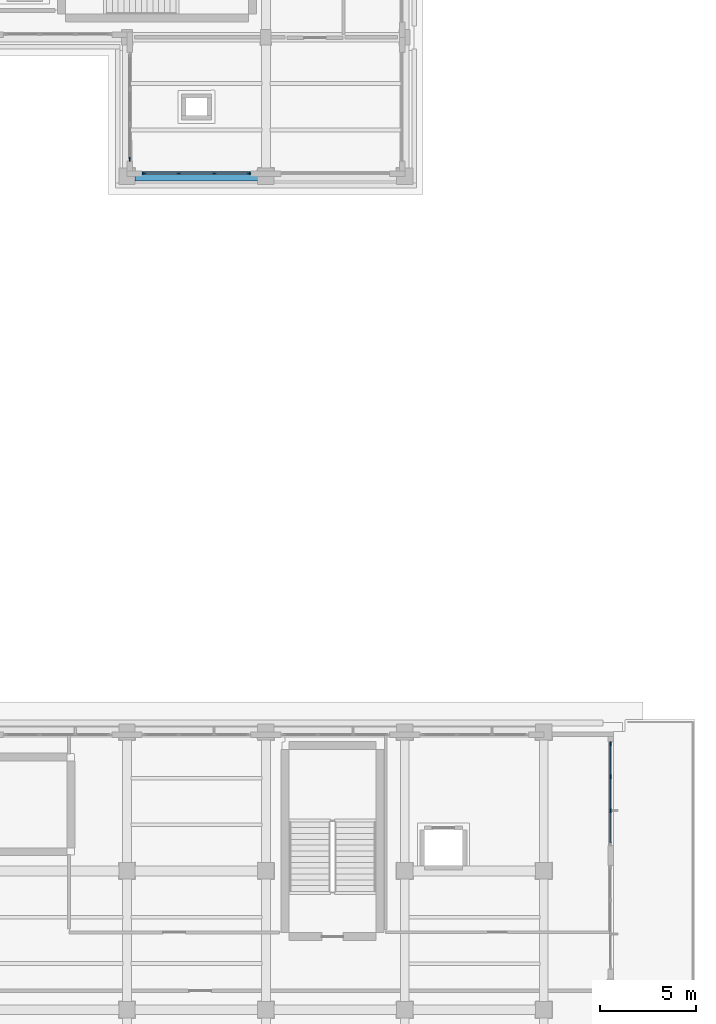
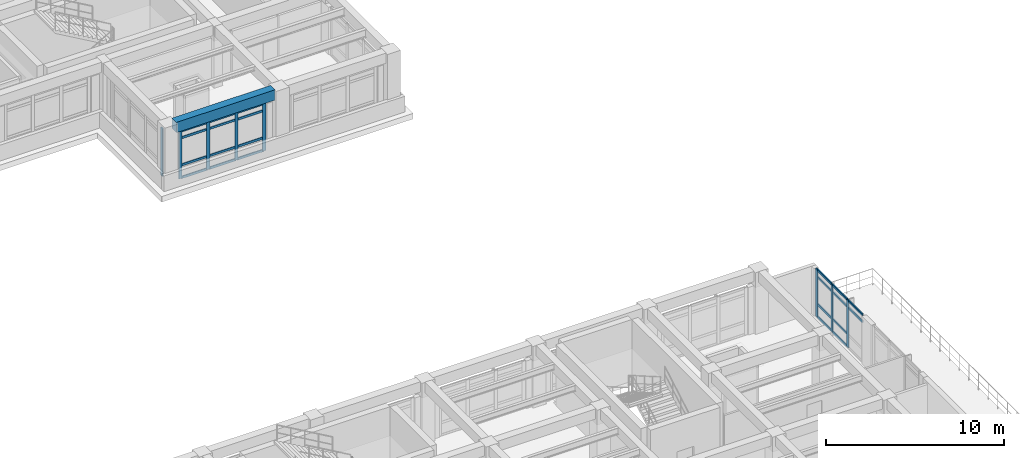
# One storey, part 59 of 98: 30 members, 1 beam, 3 elements without a shape of their own.
"""IFC4 building model written with IfcOpenShell, lengths in metres."""

import ifcopenshell
import ifcopenshell.guid

model = None  # the IFC model being written
_history = None  # IfcOwnerHistory: only IFC2X3 demands one
_inside = {}  # id of a spatial element -> (the spatial element, [elements in it])
_under = {}  # id of a project, library or spatial element -> (it, [spatial elements below it])
_declared = {}  # id of a project -> (the project, [libraries it declares])
_typed = {}  # id of a type object -> (the type object, [elements of that type])
_made_of = {}  # id of a material, layer set ... -> (it, [elements and type objects made of it])


def new_model(schema):
    """Start an empty IFC model of exactly this schema.

    Asked for "IFC4X3", IfcOpenShell would pick the latest addendum, in which some entities
    have other attributes; the version numbers below select the first issue.
    IFC2X3 requires an IfcOwnerHistory on every rooted entity: one is made here for all.
    """
    global model, _history
    if schema == "IFC4X3":
        model = ifcopenshell.file(schema_version=(4, 3, 0, 0))
    else:
        model = ifcopenshell.file(schema=schema)
    _inside.clear()
    _under.clear()
    _declared.clear()
    _typed.clear()
    _made_of.clear()
    _history = None
    if model.schema == "IFC2X3":
        org = make("IfcOrganization", Name="unknown")
        user = make(
            "IfcPersonAndOrganization",
            ThePerson=make("IfcPerson", FamilyName="unknown"),
            TheOrganization=org,
        )
        app = make(
            "IfcApplication",
            ApplicationDeveloper=org,
            Version="unknown",
            ApplicationFullName="unknown",
            ApplicationIdentifier="unknown",
        )
        _history = make(
            "IfcOwnerHistory",
            OwningUser=user,
            OwningApplication=app,
            ChangeAction="ADDED",
            CreationDate=0,
        )
    return model


def make(cls, **values):
    """One entity of the class cls with the attributes given. An attribute that is None is left unset."""
    return model.create_entity(
        cls, **{name: value for name, value in values.items() if value is not None}
    )


def rooted(cls, **values):
    """An entity with a GlobalId (a new one), such as an element, a storey or a relation."""
    return make(cls, GlobalId=ifcopenshell.guid.new(), OwnerHistory=_history, **values)


def si_unit(unit_type, name, prefix=None):
    """IfcSIUnit, for example si_unit("LENGTHUNIT", "METRE", prefix="MILLI")."""
    return make("IfcSIUnit", UnitType=unit_type, Prefix=prefix, Name=name)


def assignment(units):
    """IfcUnitAssignment: the units of a project."""
    return None if units is None else make("IfcUnitAssignment", Units=units)


def point(xyz):
    """IfcCartesianPoint."""
    return None if xyz is None else make("IfcCartesianPoint", Coordinates=xyz)


def direction(xyz):
    """IfcDirection."""
    return None if xyz is None else make("IfcDirection", DirectionRatios=xyz)


def frame(location, z_axis=None, x_axis=None):
    """IfcAxis2Placement3D, a coordinate frame: its origin and axes. An axis left out is left unset."""
    return make(
        "IfcAxis2Placement3D",
        Location=point(location),
        Axis=direction(z_axis),
        RefDirection=direction(x_axis),
    )


def frame_2d(location, x_axis=None):
    """IfcAxis2Placement2D, a coordinate frame in the plane: its origin and x axis."""
    return make(
        "IfcAxis2Placement2D", Location=point(location), RefDirection=direction(x_axis)
    )


def origin():
    """The frame at (0, 0, 0) with its axes left unset."""
    return frame((0.0, 0.0, 0.0))


def origin_2d():
    """The frame at (0, 0) in the plane with its x axis left unset."""
    return frame_2d((0.0, 0.0))


def place(relative_to, where):
    """IfcLocalPlacement: puts the frame where relative to a parent placement (None: the world)."""
    return make(
        "IfcLocalPlacement", PlacementRelTo=relative_to, RelativePlacement=where
    )


def context(
    kind, dimensions, precision=None, world=None, true_north=None, identifier=None
):
    """IfcGeometricRepresentationContext, for example the 3D "Model" context."""
    return make(
        "IfcGeometricRepresentationContext",
        ContextIdentifier=identifier,
        ContextType=kind,
        CoordinateSpaceDimension=dimensions,
        Precision=precision,
        WorldCoordinateSystem=world,
        TrueNorth=true_north,
    )


def subcontext(parent, identifier, kind, view, scale=None):
    """IfcGeometricRepresentationSubContext, for example "Body" below "Model"."""
    return make(
        "IfcGeometricRepresentationSubContext",
        ContextIdentifier=identifier,
        ContextType=kind,
        ParentContext=parent,
        TargetScale=scale,
        TargetView=view,
    )


def project(units=None, contexts=None):
    """IfcProject with its units and contexts."""
    return rooted(
        "IfcProject",
        Name="project",
        RepresentationContexts=contexts,
        UnitsInContext=assignment(units),
    )


def spatial(cls, under=None, at=None, **own):
    """A site, building, storey or space (cls), placed at a placement, below another one or the project."""
    s = rooted(cls, ObjectPlacement=at, **own)
    if under is not None:
        _under.setdefault(under.id(), (under, []))[1].append(s)
    return s


def profile(cls, at=None, kind="AREA", **sizes):
    """A parametric profile (cls). Its sizes go by their IFC names, for example OverallWidth=200.0."""
    return make(cls, ProfileType=kind, Position=at, **sizes)


def rectangle(**sizes):
    """IfcRectangleProfileDef."""
    return profile("IfcRectangleProfileDef", **sizes)


def extrude(swept, where, along, depth):
    """IfcExtrudedAreaSolid: the profile swept, set in the frame where, extruded along a direction by depth."""
    return make(
        "IfcExtrudedAreaSolid",
        SweptArea=swept,
        Position=where,
        ExtrudedDirection=direction(along),
        Depth=depth,
    )


def shape(context_of_items, identifier, shape_type, items):
    """IfcShapeRepresentation: the items that make up one representation, for example the "Body"."""
    return make(
        "IfcShapeRepresentation",
        ContextOfItems=context_of_items,
        RepresentationIdentifier=identifier,
        RepresentationType=shape_type,
        Items=items,
    )


def material(Name=None, Category=None):
    """IfcMaterial."""
    return make("IfcMaterial", Name=Name, Category=Category)


def layer(
    of_material, thickness, ventilated=None, Name=None, Category=None, Priority=None
):
    """IfcMaterialLayer: one layer of a wall or slab, of a material (None: an air gap)."""
    return make(
        "IfcMaterialLayer",
        Material=of_material,
        LayerThickness=thickness,
        IsVentilated=ventilated,
        Name=Name,
        Category=Category,
        Priority=Priority,
    )


def layer_set(layers, Name=None):
    """IfcMaterialLayerSet."""
    return make("IfcMaterialLayerSet", MaterialLayers=layers, LayerSetName=Name)


def material_profile(
    of_material, cross_section, Name=None, Category=None, Priority=None
):
    """IfcMaterialProfile: a cross section and its material."""
    return make(
        "IfcMaterialProfile",
        Name=Name,
        Material=of_material,
        Profile=cross_section,
        Priority=Priority,
        Category=Category,
    )


def profile_set(profiles, Name=None, composite=None):
    """IfcMaterialProfileSet."""
    return make(
        "IfcMaterialProfileSet",
        Name=Name,
        MaterialProfiles=profiles,
        CompositeProfile=composite,
    )


def made_of(thing, what):
    """Note that an element or type object is made of a material, layer set ...; save() writes the relation."""
    if what is not None:
        _made_of.setdefault(what.id(), (what, []))[1].append(thing)
    return thing


def type_object(cls, material=None, **own):
    """A type object (cls), such as IfcWallType, which elements share."""
    return made_of(rooted(cls, **own), material)


def element(
    cls,
    number,
    at=None,
    inside=None,
    cuts=None,
    type_object=None,
    material=None,
    context=None,
    identifier="Body",
    shape_type=None,
    held_by="IfcProductDefinitionShape",
    body=None,
    shapes=None,
    **own,
):
    """One element of the class cls, such as IfcWall. Its Tag is "e" and its number.

    at: its placement. inside: the storey or other place that contains it. cuts: it is an
    opening in that element (IfcRelVoidsElement). A single representation is given by context,
    identifier, shape_type and body (its items); several are given by shapes. held_by: the class
    of the entity that holds the representations. save() writes the other relations.
    """
    e = rooted(cls, Tag="e%d" % number, ObjectPlacement=at, **own)
    if body is not None:
        shapes = [shape(context, identifier, shape_type, body)]
    if shapes is not None:
        e.Representation = make(held_by, Representations=shapes)
    if inside is not None:
        _inside.setdefault(inside.id(), (inside, []))[1].append(e)
    if cuts is not None:
        rooted(
            "IfcRelVoidsElement", RelatingBuildingElement=cuts, RelatedOpeningElement=e
        )
    if type_object is not None:
        _typed.setdefault(type_object.id(), (type_object, []))[1].append(e)
    return made_of(e, material)


def aggregate(whole, parts):
    """IfcRelAggregates: a whole, such as a stair, and the parts it consists of."""
    return rooted("IfcRelAggregates", RelatingObject=whole, RelatedObjects=parts)


def save(model, path):
    """Write the relations noted so far, then the file.

    IfcRelAggregates (storeys below a building ...), IfcRelContainedInSpatialStructure (elements
    in a storey), IfcRelDefinesByType, IfcRelAssociatesMaterial and IfcRelDeclares: one each for
    every whole, place, type object, material and project.
    """
    for whole, parts in _under.values():
        aggregate(whole, parts)
    for where, things in _inside.values():
        rooted(
            "IfcRelContainedInSpatialStructure",
            RelatedElements=things,
            RelatingStructure=where,
        )
    for kind, things in _typed.values():
        rooted("IfcRelDefinesByType", RelatedObjects=things, RelatingType=kind)
    for what, things in _made_of.values():
        rooted("IfcRelAssociatesMaterial", RelatedObjects=things, RelatingMaterial=what)
    for by, libraries in _declared.values():
        rooted("IfcRelDeclares", RelatingContext=by, RelatedDefinitions=libraries)
    model.write(path)


model = new_model("IFC4")

# Units and contexts
model_context = context("Model", 3, precision=1e-05, world=origin(), true_north=direction((0.0, 1.0)))
body_context = subcontext(model_context, "Body", "Model", "MODEL_VIEW")
ifc_project = project(units=[si_unit("LENGTHUNIT", "METRE"), si_unit("AREAUNIT", "SQUARE_METRE"), si_unit("VOLUMEUNIT", "CUBIC_METRE"), si_unit("PLANEANGLEUNIT", "RADIAN"), si_unit("MASSUNIT", "GRAM", prefix="KILO")], contexts=[model_context])

# Site, building, storey
site_placement = place(None, origin())
site = spatial("IfcSite", under=ifc_project, at=site_placement, CompositionType="ELEMENT")
building_placement = place(site_placement, origin())
building = spatial("IfcBuilding", under=site, at=building_placement, Name="Solenvale Faculty of Natural Sciences", CompositionType="ELEMENT")
storey_placement = place(building_placement, frame((0.0, 0.0, 9.0)))
storey = spatial("IfcBuildingStorey", under=building, at=storey_placement, Name="L02", CompositionType="ELEMENT", Elevation=9.0)

# Beam
ifc_material_1 = material(Name="Concrete 40 MPa", Category="concrete")
ifc_material_profile_1 = material_profile(ifc_material_1, rectangle(XDim=0.5, YDim=0.699951171875, at=origin_2d()), Name="RC-BM-500x700")
ifc_profile_set_1 = profile_set([ifc_material_profile_1], Name="Concrete 40 MPa")
beam_type = type_object("IfcBeamType", Name="BM-RC-500x700", PredefinedType="BEAM", material=ifc_profile_set_1)
beam_placement = place(storey_placement, frame((137.205078125, 86.39990234375, 3.8701171875), z_axis=(1.0, 0.0, 0.0), x_axis=(0.0, 1.0, 0.0)))
element("IfcBeam", 1, at=beam_placement, inside=storey, type_object=beam_type, Name="L02 X-Girder Y86.4 (136.8..144.0)", PredefinedType="BEAM", context=body_context, shape_type="SweptSolid", body=[
    extrude(rectangle(XDim=0.5, YDim=0.699951171875, at=origin_2d()), origin(), (0.0, 0.0, 1.0), 6.389892578125),
])

# Curtain wall, members
ifc_material_2 = material(Name="Anodised bronze aluminium", Category="aluminium")
ifc_layer_1 = layer(ifc_material_2, 0.199951171875)
ifc_layer_set_1 = layer_set([ifc_layer_1], Name="Anodised bronze aluminium")
curtain_wall_type_1 = type_object("IfcCurtainWallType", Name="CW-COM-FIN", PredefinedType="USERDEFINED", material=ifc_layer_set_1)
curtain_wall_1_placement = place(storey_placement, origin())
curtain_wall_1 = element("IfcCurtainWall", 2, at=curtain_wall_1_placement, inside=storey, type_object=curtain_wall_type_1, Name="L02 Curtain Wall CW-L02-P1-E3-B4", ObjectType="UNITISED CURTAIN WALL", PredefinedType="USERDEFINED")
ifc_material_profile_2 = material_profile(ifc_material_2, rectangle(XDim=0.074951171875, YDim=0.2099609375, at=origin_2d()), Name="ALU-MUL-75x210")
ifc_profile_set_2 = profile_set([ifc_material_profile_2], Name="Anodised bronze aluminium")
member_type_1 = type_object("IfcMemberType", Name="CWM-ALU-75x210", PredefinedType="MULLION", material=ifc_profile_set_2)
member_1_placement = place(storey_placement, frame((161.857421875, 53.526611328125, 0.0), z_axis=(0.0, 0.0, 1.0), x_axis=(-1.0, 0.0, 0.0)))
member_1 = element("IfcMember", 3, at=member_1_placement, type_object=member_type_1, Name="CW-03 mullion 2", PredefinedType="MULLION", context=body_context, shape_type="SweptSolid", body=[
    extrude(rectangle(XDim=0.074951171875, YDim=0.2099609375, at=origin_2d()), origin(), (0.0, 0.0, 1.0), 3.260009765625),
])
member_2_placement = place(storey_placement, frame((161.857421875, 55.2734375, 0.0), z_axis=(0.0, 0.0, 1.0), x_axis=(-1.0, 0.0, 0.0)))
member_2 = element("IfcMember", 4, at=member_2_placement, type_object=member_type_1, Name="CW-03 mullion 3", PredefinedType="MULLION", context=body_context, shape_type="SweptSolid", body=[
    extrude(rectangle(XDim=0.074951171875, YDim=0.2099609375, at=origin_2d()), origin(), (0.0, 0.0, 1.0), 3.260009765625),
])
member_3_placement = place(storey_placement, frame((161.857421875, 56.982421875, 0.0), z_axis=(0.0, 0.0, 1.0), x_axis=(-1.0, 0.0, 0.0)))
member_3 = element("IfcMember", 5, at=member_3_placement, type_object=member_type_1, Name="CW-03 mullion 4", PredefinedType="MULLION", context=body_context, shape_type="SweptSolid", body=[
    extrude(rectangle(XDim=0.074951171875, YDim=0.2099609375, at=origin_2d()), origin(), (0.0, 0.0, 1.0), 3.260009765625),
])

ifc_layer_2 = layer(ifc_material_2, 0.179931640625)
ifc_layer_set_2 = layer_set([ifc_layer_2], Name="Anodised bronze aluminium")
curtain_wall_type_2 = type_object("IfcCurtainWallType", Name="CW-TWR-MOD", PredefinedType="USERDEFINED", material=ifc_layer_set_2)
curtain_wall_2_placement = place(storey_placement, origin())
curtain_wall_2 = element("IfcCurtainWall", 6, at=curtain_wall_2_placement, inside=storey, type_object=curtain_wall_type_2, Name="L02 Curtain Wall CW-L02-P2-E1-B1", ObjectType="UNITISED CURTAIN WALL", PredefinedType="USERDEFINED")
member_4_placement = place(storey_placement, frame((137.6875, 86.54248046875, 0.0), z_axis=(0.0, 0.0, 1.0), x_axis=(0.0, 1.0, 0.0)))
member_4 = element("IfcMember", 7, at=member_4_placement, type_object=member_type_1, Name="CW-04 mullion 1", PredefinedType="MULLION", context=body_context, shape_type="SweptSolid", body=[
    extrude(rectangle(XDim=0.074951171875, YDim=0.2099609375, at=origin_2d()), origin(), (0.0, 0.0, 1.0), 3.260009765625),
])
member_5_placement = place(storey_placement, frame((139.4833984375, 86.54248046875, 0.0), z_axis=(0.0, 0.0, 1.0), x_axis=(0.0, 1.0, 0.0)))
member_5 = element("IfcMember", 8, at=member_5_placement, type_object=member_type_1, Name="CW-04 mullion 2", PredefinedType="MULLION", context=body_context, shape_type="SweptSolid", body=[
    extrude(rectangle(XDim=0.074951171875, YDim=0.2099609375, at=origin_2d()), origin(), (0.0, 0.0, 1.0), 3.260009765625),
])
member_6_placement = place(storey_placement, frame((141.316650390625, 86.54248046875, 0.0), z_axis=(0.0, 0.0, 1.0), x_axis=(0.0, 1.0, 0.0)))
member_6 = element("IfcMember", 9, at=member_6_placement, type_object=member_type_1, Name="CW-04 mullion 3", PredefinedType="MULLION", context=body_context, shape_type="SweptSolid", body=[
    extrude(rectangle(XDim=0.074951171875, YDim=0.2099609375, at=origin_2d()), origin(), (0.0, 0.0, 1.0), 3.260009765625),
])
member_7_placement = place(storey_placement, frame((143.112548828125, 86.54248046875, 0.0), z_axis=(0.0, 0.0, 1.0), x_axis=(0.0, 1.0, 0.0)))
member_7 = element("IfcMember", 10, at=member_7_placement, type_object=member_type_1, Name="CW-04 mullion 4", PredefinedType="MULLION", context=body_context, shape_type="SweptSolid", body=[
    extrude(rectangle(XDim=0.074951171875, YDim=0.2099609375, at=origin_2d()), origin(), (0.0, 0.0, 1.0), 3.260009765625),
])

# Curtain wall, member
curtain_wall_3_placement = place(storey_placement, origin())
curtain_wall_3 = element("IfcCurtainWall", 11, at=curtain_wall_3_placement, inside=storey, type_object=curtain_wall_type_2, Name="L02 Curtain Wall CW-L02-P2-E7-B1", ObjectType="UNITISED CURTAIN WALL", PredefinedType="USERDEFINED")
member_8_placement = place(storey_placement, frame((136.9423828125, 87.28759765625, 0.0), z_axis=(0.0, 0.0, 1.0), x_axis=(1.0, 0.0, 0.0)))
member_8 = element("IfcMember", 12, at=member_8_placement, type_object=member_type_1, Name="CW-04 mullion 4", PredefinedType="MULLION", context=body_context, shape_type="SweptSolid", body=[
    extrude(rectangle(XDim=0.074951171875, YDim=0.2099609375, at=origin_2d()), origin(), (0.0, 0.0, 1.0), 3.260009765625),
])
aggregate(curtain_wall_3, [member_8])

# Member
ifc_material_profile_3 = material_profile(ifc_material_2, rectangle(XDim=0.074951171875, YDim=0.155029296875, at=origin_2d()), Name="ALU-TRN-75x155")
ifc_profile_set_3 = profile_set([ifc_material_profile_3], Name="Anodised bronze aluminium")
member_type_2 = type_object("IfcMemberType", Name="CWT-ALU-75x155", PredefinedType="USERDEFINED", material=ifc_profile_set_3)
member_9_placement = place(storey_placement, frame((161.857421875, 51.85498046875, 2.760009765625), z_axis=(0.0, 1.0, 0.0), x_axis=(-1.0, 0.0, 0.0)))
member_9 = element("IfcMember", 13, at=member_9_placement, type_object=member_type_2, Name="CW-03 transom 1.3", ObjectType="TRANSOM", PredefinedType="USERDEFINED", context=body_context, shape_type="SweptSolid", body=[
    extrude(rectangle(XDim=0.074951171875, YDim=0.155029296875, at=origin_2d()), origin(), (0.0, 0.0, 1.0), 1.63427734375),
])

member_10_placement = place(storey_placement, frame((161.857421875, 51.85498046875, 3.222412109375), z_axis=(0.0, 1.0, 0.0), x_axis=(-1.0, 0.0, 0.0)))
member_10 = element("IfcMember", 14, at=member_10_placement, type_object=member_type_2, Name="CW-03 transom 1.4", ObjectType="TRANSOM", PredefinedType="USERDEFINED", context=body_context, shape_type="SweptSolid", body=[
    extrude(rectangle(XDim=0.074951171875, YDim=0.155029296875, at=origin_2d()), origin(), (0.0, 0.0, 1.0), 1.63427734375),
])

member_11_placement = place(storey_placement, frame((161.857421875, 53.564208984375, 0.03759765625), z_axis=(0.0, 1.0, 0.0), x_axis=(-1.0, 0.0, 0.0)))
member_11 = element("IfcMember", 15, at=member_11_placement, type_object=member_type_2, Name="CW-03 transom 2.1", ObjectType="TRANSOM", PredefinedType="USERDEFINED", context=body_context, shape_type="SweptSolid", body=[
    extrude(rectangle(XDim=0.074951171875, YDim=0.155029296875, at=origin_2d()), origin(), (0.0, 0.0, 1.0), 1.671630859375),
])

member_12_placement = place(storey_placement, frame((161.857421875, 53.564208984375, 0.89990234375), z_axis=(0.0, 1.0, 0.0), x_axis=(-1.0, 0.0, 0.0)))
member_12 = element("IfcMember", 16, at=member_12_placement, type_object=member_type_2, Name="CW-03 transom 2.2", ObjectType="TRANSOM", PredefinedType="USERDEFINED", context=body_context, shape_type="SweptSolid", body=[
    extrude(rectangle(XDim=0.074951171875, YDim=0.155029296875, at=origin_2d()), origin(), (0.0, 0.0, 1.0), 1.671630859375),
])

member_13_placement = place(storey_placement, frame((161.857421875, 53.564208984375, 2.760009765625), z_axis=(0.0, 1.0, 0.0), x_axis=(-1.0, 0.0, 0.0)))
member_13 = element("IfcMember", 17, at=member_13_placement, type_object=member_type_2, Name="CW-03 transom 2.3", ObjectType="TRANSOM", PredefinedType="USERDEFINED", context=body_context, shape_type="SweptSolid", body=[
    extrude(rectangle(XDim=0.074951171875, YDim=0.155029296875, at=origin_2d()), origin(), (0.0, 0.0, 1.0), 1.671630859375),
])

member_14_placement = place(storey_placement, frame((161.857421875, 53.564208984375, 3.222412109375), z_axis=(0.0, 1.0, 0.0), x_axis=(-1.0, 0.0, 0.0)))
member_14 = element("IfcMember", 18, at=member_14_placement, type_object=member_type_2, Name="CW-03 transom 2.4", ObjectType="TRANSOM", PredefinedType="USERDEFINED", context=body_context, shape_type="SweptSolid", body=[
    extrude(rectangle(XDim=0.074951171875, YDim=0.155029296875, at=origin_2d()), origin(), (0.0, 0.0, 1.0), 1.671630859375),
])

member_15_placement = place(storey_placement, frame((161.857421875, 55.310791015625, 0.03759765625), z_axis=(0.0, 1.0, 0.0), x_axis=(-1.0, 0.0, 0.0)))
member_15 = element("IfcMember", 19, at=member_15_placement, type_object=member_type_2, Name="CW-03 transom 3.1", ObjectType="TRANSOM", PredefinedType="USERDEFINED", context=body_context, shape_type="SweptSolid", body=[
    extrude(rectangle(XDim=0.074951171875, YDim=0.155029296875, at=origin_2d()), origin(), (0.0, 0.0, 1.0), 1.63427734375),
])

member_16_placement = place(storey_placement, frame((161.857421875, 55.310791015625, 0.89990234375), z_axis=(0.0, 1.0, 0.0), x_axis=(-1.0, 0.0, 0.0)))
member_16 = element("IfcMember", 20, at=member_16_placement, type_object=member_type_2, Name="CW-03 transom 3.2", ObjectType="TRANSOM", PredefinedType="USERDEFINED", context=body_context, shape_type="SweptSolid", body=[
    extrude(rectangle(XDim=0.074951171875, YDim=0.155029296875, at=origin_2d()), origin(), (0.0, 0.0, 1.0), 1.63427734375),
])

member_17_placement = place(storey_placement, frame((161.857421875, 55.310791015625, 2.760009765625), z_axis=(0.0, 1.0, 0.0), x_axis=(-1.0, 0.0, 0.0)))
member_17 = element("IfcMember", 21, at=member_17_placement, type_object=member_type_2, Name="CW-03 transom 3.3", ObjectType="TRANSOM", PredefinedType="USERDEFINED", context=body_context, shape_type="SweptSolid", body=[
    extrude(rectangle(XDim=0.074951171875, YDim=0.155029296875, at=origin_2d()), origin(), (0.0, 0.0, 1.0), 1.63427734375),
])

member_18_placement = place(storey_placement, frame((161.857421875, 55.310791015625, 3.222412109375), z_axis=(0.0, 1.0, 0.0), x_axis=(-1.0, 0.0, 0.0)))
member_18 = element("IfcMember", 22, at=member_18_placement, type_object=member_type_2, Name="CW-03 transom 3.4", ObjectType="TRANSOM", PredefinedType="USERDEFINED", context=body_context, shape_type="SweptSolid", body=[
    extrude(rectangle(XDim=0.074951171875, YDim=0.155029296875, at=origin_2d()), origin(), (0.0, 0.0, 1.0), 1.63427734375),
])

aggregate(curtain_wall_1, [member_1, member_2, member_3, member_9, member_10, member_11, member_12, member_13, member_14, member_15, member_16, member_17, member_18])

member_19_placement = place(storey_placement, frame((137.72509765625, 86.54248046875, 0.03759765625), z_axis=(1.0, 0.0, 0.0), x_axis=(0.0, 1.0, 0.0)))
member_19 = element("IfcMember", 23, at=member_19_placement, type_object=member_type_2, Name="CW-04 transom 1.1", ObjectType="TRANSOM", PredefinedType="USERDEFINED", context=body_context, shape_type="SweptSolid", body=[
    extrude(rectangle(XDim=0.074951171875, YDim=0.155029296875, at=origin_2d()), origin(), (0.0, 0.0, 1.0), 1.720703125),
])

member_20_placement = place(storey_placement, frame((137.72509765625, 86.54248046875, 0.89990234375), z_axis=(1.0, 0.0, 0.0), x_axis=(0.0, 1.0, 0.0)))
member_20 = element("IfcMember", 24, at=member_20_placement, type_object=member_type_2, Name="CW-04 transom 1.2", ObjectType="TRANSOM", PredefinedType="USERDEFINED", context=body_context, shape_type="SweptSolid", body=[
    extrude(rectangle(XDim=0.074951171875, YDim=0.155029296875, at=origin_2d()), origin(), (0.0, 0.0, 1.0), 1.720703125),
])

member_21_placement = place(storey_placement, frame((137.72509765625, 86.54248046875, 2.760009765625), z_axis=(1.0, 0.0, 0.0), x_axis=(0.0, 1.0, 0.0)))
member_21 = element("IfcMember", 25, at=member_21_placement, type_object=member_type_2, Name="CW-04 transom 1.3", ObjectType="TRANSOM", PredefinedType="USERDEFINED", context=body_context, shape_type="SweptSolid", body=[
    extrude(rectangle(XDim=0.074951171875, YDim=0.155029296875, at=origin_2d()), origin(), (0.0, 0.0, 1.0), 1.720703125),
])

member_22_placement = place(storey_placement, frame((137.72509765625, 86.54248046875, 3.222412109375), z_axis=(1.0, 0.0, 0.0), x_axis=(0.0, 1.0, 0.0)))
member_22 = element("IfcMember", 26, at=member_22_placement, type_object=member_type_2, Name="CW-04 transom 1.4", ObjectType="TRANSOM", PredefinedType="USERDEFINED", context=body_context, shape_type="SweptSolid", body=[
    extrude(rectangle(XDim=0.074951171875, YDim=0.155029296875, at=origin_2d()), origin(), (0.0, 0.0, 1.0), 1.720703125),
])

member_23_placement = place(storey_placement, frame((139.520751953125, 86.54248046875, 0.03759765625), z_axis=(1.0, 0.0, 0.0), x_axis=(0.0, 1.0, 0.0)))
member_23 = element("IfcMember", 27, at=member_23_placement, type_object=member_type_2, Name="CW-04 transom 2.1", ObjectType="TRANSOM", PredefinedType="USERDEFINED", context=body_context, shape_type="SweptSolid", body=[
    extrude(rectangle(XDim=0.074951171875, YDim=0.155029296875, at=origin_2d()), origin(), (0.0, 0.0, 1.0), 1.75830078125),
])

member_24_placement = place(storey_placement, frame((139.520751953125, 86.54248046875, 0.89990234375), z_axis=(1.0, 0.0, 0.0), x_axis=(0.0, 1.0, 0.0)))
member_24 = element("IfcMember", 28, at=member_24_placement, type_object=member_type_2, Name="CW-04 transom 2.2", ObjectType="TRANSOM", PredefinedType="USERDEFINED", context=body_context, shape_type="SweptSolid", body=[
    extrude(rectangle(XDim=0.074951171875, YDim=0.155029296875, at=origin_2d()), origin(), (0.0, 0.0, 1.0), 1.75830078125),
])

member_25_placement = place(storey_placement, frame((139.520751953125, 86.54248046875, 2.760009765625), z_axis=(1.0, 0.0, 0.0), x_axis=(0.0, 1.0, 0.0)))
member_25 = element("IfcMember", 29, at=member_25_placement, type_object=member_type_2, Name="CW-04 transom 2.3", ObjectType="TRANSOM", PredefinedType="USERDEFINED", context=body_context, shape_type="SweptSolid", body=[
    extrude(rectangle(XDim=0.074951171875, YDim=0.155029296875, at=origin_2d()), origin(), (0.0, 0.0, 1.0), 1.75830078125),
])

member_26_placement = place(storey_placement, frame((139.520751953125, 86.54248046875, 3.222412109375), z_axis=(1.0, 0.0, 0.0), x_axis=(0.0, 1.0, 0.0)))
member_26 = element("IfcMember", 30, at=member_26_placement, type_object=member_type_2, Name="CW-04 transom 2.4", ObjectType="TRANSOM", PredefinedType="USERDEFINED", context=body_context, shape_type="SweptSolid", body=[
    extrude(rectangle(XDim=0.074951171875, YDim=0.155029296875, at=origin_2d()), origin(), (0.0, 0.0, 1.0), 1.75830078125),
])

member_27_placement = place(storey_placement, frame((141.354248046875, 86.54248046875, 0.03759765625), z_axis=(1.0, 0.0, 0.0), x_axis=(0.0, 1.0, 0.0)))
member_27 = element("IfcMember", 31, at=member_27_placement, type_object=member_type_2, Name="CW-04 transom 3.1", ObjectType="TRANSOM", PredefinedType="USERDEFINED", context=body_context, shape_type="SweptSolid", body=[
    extrude(rectangle(XDim=0.074951171875, YDim=0.155029296875, at=origin_2d()), origin(), (0.0, 0.0, 1.0), 1.720703125),
])

member_28_placement = place(storey_placement, frame((141.354248046875, 86.54248046875, 0.89990234375), z_axis=(1.0, 0.0, 0.0), x_axis=(0.0, 1.0, 0.0)))
member_28 = element("IfcMember", 32, at=member_28_placement, type_object=member_type_2, Name="CW-04 transom 3.2", ObjectType="TRANSOM", PredefinedType="USERDEFINED", context=body_context, shape_type="SweptSolid", body=[
    extrude(rectangle(XDim=0.074951171875, YDim=0.155029296875, at=origin_2d()), origin(), (0.0, 0.0, 1.0), 1.720703125),
])

member_29_placement = place(storey_placement, frame((141.354248046875, 86.54248046875, 2.760009765625), z_axis=(1.0, 0.0, 0.0), x_axis=(0.0, 1.0, 0.0)))
member_29 = element("IfcMember", 33, at=member_29_placement, type_object=member_type_2, Name="CW-04 transom 3.3", ObjectType="TRANSOM", PredefinedType="USERDEFINED", context=body_context, shape_type="SweptSolid", body=[
    extrude(rectangle(XDim=0.074951171875, YDim=0.155029296875, at=origin_2d()), origin(), (0.0, 0.0, 1.0), 1.720703125),
])

member_30_placement = place(storey_placement, frame((141.354248046875, 86.54248046875, 3.222412109375), z_axis=(1.0, 0.0, 0.0), x_axis=(0.0, 1.0, 0.0)))
member_30 = element("IfcMember", 34, at=member_30_placement, type_object=member_type_2, Name="CW-04 transom 3.4", ObjectType="TRANSOM", PredefinedType="USERDEFINED", context=body_context, shape_type="SweptSolid", body=[
    extrude(rectangle(XDim=0.074951171875, YDim=0.155029296875, at=origin_2d()), origin(), (0.0, 0.0, 1.0), 1.720703125),
])

aggregate(curtain_wall_2, [member_4, member_5, member_6, member_7, member_19, member_20, member_21, member_22, member_23, member_24, member_25, member_26, member_27, member_28, member_29, member_30])

save(model, "model.ifc")
